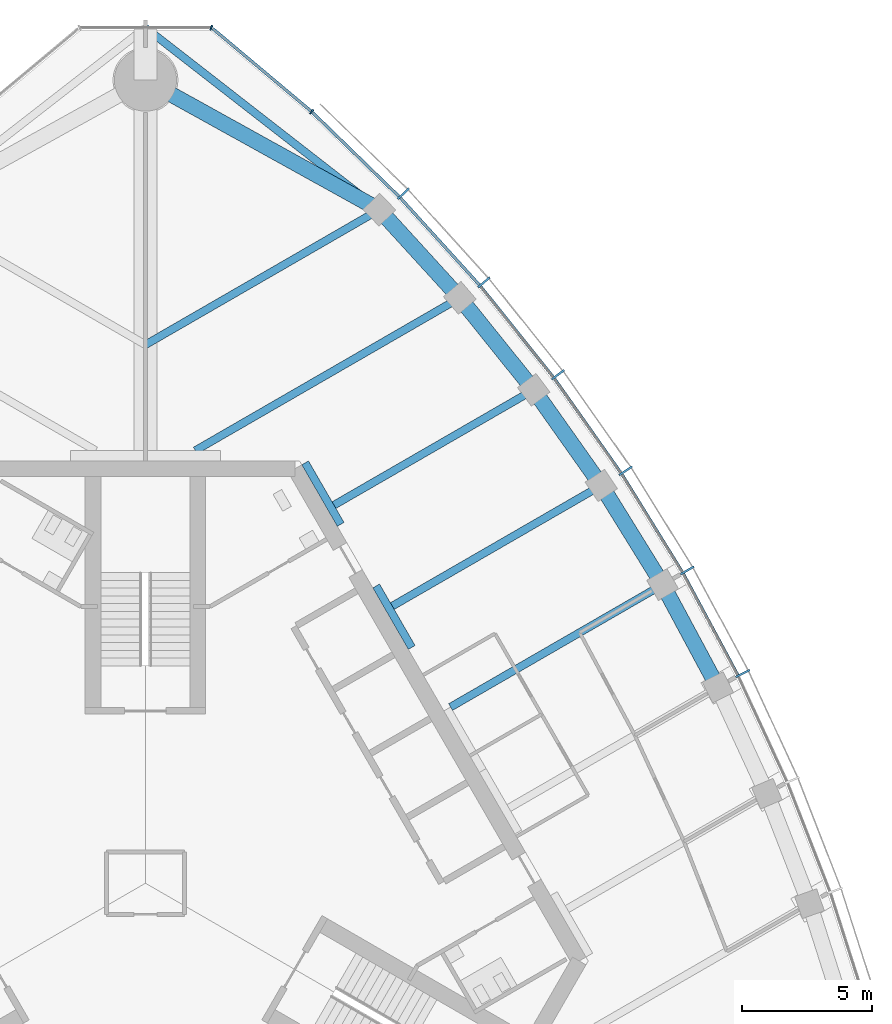
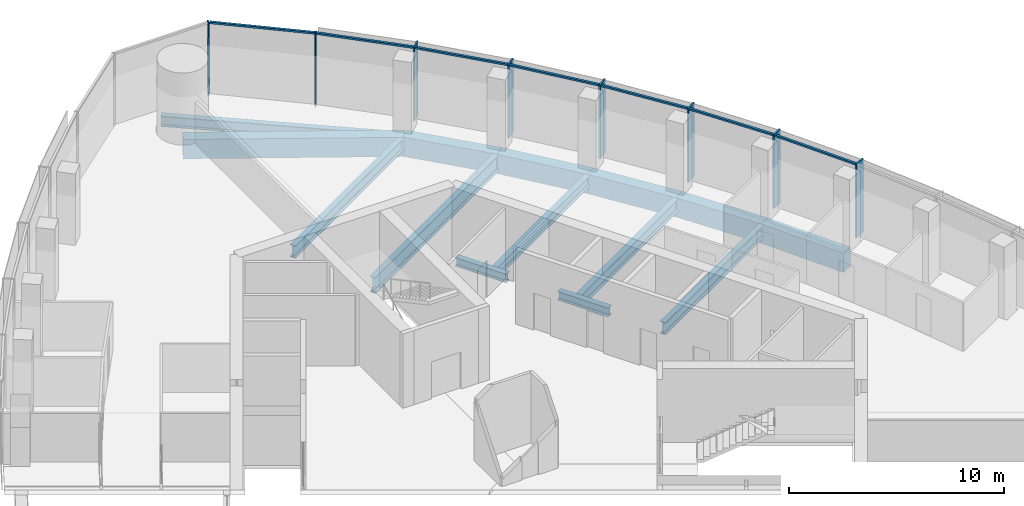
# One storey, part 6 of 16: 15 members, 14 beams, 2 elements without a shape of their own.
"""IFC4 building model written with IfcOpenShell, lengths in metres."""

from ifc_helpers import new_model, si_unit, direction, frame, origin, origin_2d, place, context, subcontext, project, spatial, rectangle, i_section, extrude, material, material_profile, profile_set, type_object, element, aggregate, save


model = new_model("IFC4")

# Units and contexts
model_context = context("Model", 3, precision=1e-05, world=origin(), true_north=direction((0.0, 1.0)))
body_context = subcontext(model_context, "Body", "Model", "MODEL_VIEW")
ifc_project = project(units=[si_unit("LENGTHUNIT", "METRE"), si_unit("AREAUNIT", "SQUARE_METRE"), si_unit("VOLUMEUNIT", "CUBIC_METRE"), si_unit("PLANEANGLEUNIT", "RADIAN"), si_unit("MASSUNIT", "GRAM", prefix="KILO")], contexts=[model_context])

# Site, building, storey
site_placement = place(None, origin())
site = spatial("IfcSite", under=ifc_project, at=site_placement, CompositionType="ELEMENT")
building_placement = place(site_placement, origin())
building = spatial("IfcBuilding", under=site, at=building_placement, Name="Trefoil Bronze Tower", CompositionType="ELEMENT")
storey_placement = place(building_placement, frame((0.0, 0.0, 305.699951171875)))
storey = spatial("IfcBuildingStorey", under=building, at=storey_placement, Name="L70", CompositionType="ELEMENT", Elevation=305.699951171875)

# Curtain wall, members
ifc_material_1 = material(Name="Tinted solar-control glass", Category="glass")
curtain_wall_type_1 = type_object("IfcCurtainWallType", Name="Bronze office curtain wall", PredefinedType="USERDEFINED", material=ifc_material_1)
curtain_wall_1_placement = place(storey_placement, origin())
curtain_wall_1 = element("IfcCurtainWall", 1, at=curtain_wall_1_placement, inside=storey, type_object=curtain_wall_type_1, Name="CW-A L70 F2", ObjectType="CURTAIN WALL", PredefinedType="USERDEFINED")
ifc_material_2 = material(Name="Bronze-finish aluminium", Category="aluminium")
ifc_material_profile_1 = material_profile(ifc_material_2, rectangle(XDim=0.60009765625, YDim=0.080078125, at=origin_2d()), Name="CW-A mullion")
ifc_profile_set_1 = profile_set([ifc_material_profile_1], Name="Bronze-finish aluminium")
member_type_1 = type_object("IfcMemberType", Name="Bronze office curtain wall mullion", PredefinedType="MULLION", material=ifc_profile_set_1)
member_1_placement = place(storey_placement, frame((23.056396484375, 8.094482421875, 0.0), z_axis=(0.0, 0.0, 1.0), x_axis=(-0.894713198289, -0.44664112306, 0.0)))
member_1 = element("IfcMember", 2, at=member_1_placement, type_object=member_type_1, Name="CW-A L70 F2 mullion 5", PredefinedType="MULLION", context=body_context, shape_type="SweptSolid", body=[
    extrude(rectangle(XDim=0.60009765625, YDim=0.080078125, at=origin_2d()), origin(), (0.0, 0.0, 1.0), 4.179931640625),
])
member_2_placement = place(storey_placement, frame((20.916015625, 12.07568359375, 0.0), z_axis=(0.0, 0.0, 1.0), x_axis=(-0.866025403784, -0.5, 0.0)))
member_2 = element("IfcMember", 3, at=member_2_placement, type_object=member_type_1, Name="CW-A L70 F2 mullion 6", PredefinedType="MULLION", context=body_context, shape_type="SweptSolid", body=[
    extrude(rectangle(XDim=0.60009765625, YDim=0.080078125, at=origin_2d()), origin(), (0.0, 0.0, 1.0), 4.179931640625),
])
member_3_placement = place(storey_placement, frame((18.538330078125, 15.920166015625, 0.0), z_axis=(0.0, 0.0, 1.0), x_axis=(-0.834159158089, -0.551523797289, 0.0)))
member_3 = element("IfcMember", 4, at=member_3_placement, type_object=member_type_1, Name="CW-A L70 F2 mullion 7", PredefinedType="MULLION", context=body_context, shape_type="SweptSolid", body=[
    extrude(rectangle(XDim=0.60009765625, YDim=0.080078125, at=origin_2d()), origin(), (0.0, 0.0, 1.0), 4.179931640625),
])
member_4_placement = place(storey_placement, frame((15.922607421875, 19.627197265625, 0.0), z_axis=(0.0, 0.0, 1.0), x_axis=(-0.799096076136, -0.601203344222, 0.0)))
member_4 = element("IfcMember", 5, at=member_4_placement, type_object=member_type_1, Name="CW-A L70 F2 mullion 8", PredefinedType="MULLION", context=body_context, shape_type="SweptSolid", body=[
    extrude(rectangle(XDim=0.60009765625, YDim=0.080078125, at=origin_2d()), origin(), (0.0, 0.0, 1.0), 4.179931640625),
])
member_5_placement = place(storey_placement, frame((13.064453125, 23.194091796875, 0.0), z_axis=(0.0, 0.0, 1.0), x_axis=(-0.760781190165, -0.649008459646, 0.0)))
member_5 = element("IfcMember", 6, at=member_5_placement, type_object=member_type_1, Name="CW-A L70 F2 mullion 9", PredefinedType="MULLION", context=body_context, shape_type="SweptSolid", body=[
    extrude(rectangle(XDim=0.60009765625, YDim=0.080078125, at=origin_2d()), origin(), (0.0, 0.0, 1.0), 4.179931640625),
])
member_6_placement = place(storey_placement, frame((9.957275390625, 26.617431640625, 0.0), z_axis=(0.0, 0.0, 1.0), x_axis=(-0.719001349715, -0.695008675564, 0.0)))
member_6 = element("IfcMember", 7, at=member_6_placement, type_object=member_type_1, Name="CW-A L70 F2 mullion 10", PredefinedType="MULLION", context=body_context, shape_type="SweptSolid", body=[
    extrude(rectangle(XDim=0.60009765625, YDim=0.080078125, at=origin_2d()), origin(), (0.0, 0.0, 1.0), 4.179931640625),
])
ifc_material_3 = material(Name="Bronze-finish aluminium", Category="aluminium")
ifc_material_profile_2 = material_profile(ifc_material_3, rectangle(XDim=0.1201171875, YDim=0.10009765625, at=origin_2d()), Name="CW-A transom")
ifc_profile_set_2 = profile_set([ifc_material_profile_2], Name="Bronze-finish aluminium")
member_type_2 = type_object("IfcMemberType", Name="Bronze office curtain wall transom", PredefinedType="USERDEFINED", material=ifc_profile_set_2)
member_7_placement = place(storey_placement, frame((22.857177734375, 8.043212890625, 4.130126953125), z_axis=(-0.473540024981, 0.880772300167, 0.0), x_axis=(-0.880772300167, -0.473540024981, 0.0)))
member_7 = element("IfcMember", 8, at=member_7_placement, type_object=member_type_2, Name="CW-A L70 F2 transom 5", ObjectType="TRANSOM", PredefinedType="USERDEFINED", context=body_context, shape_type="SweptSolid", body=[
    extrude(rectangle(XDim=0.1201171875, YDim=0.10009765625, at=origin_2d()), origin(), (0.0, 0.0, 1.0), 4.422119140625),
])
member_8_placement = place(storey_placement, frame((20.72021484375, 12.012451171875, 4.130126953125), z_axis=(-0.525978235299, 0.850498028212, 0.0), x_axis=(-0.850498028212, -0.525978235299, 0.0)))
member_8 = element("IfcMember", 9, at=member_8_placement, type_object=member_type_2, Name="CW-A L70 F2 transom 6", ObjectType="TRANSOM", PredefinedType="USERDEFINED", context=body_context, shape_type="SweptSolid", body=[
    extrude(rectangle(XDim=0.1201171875, YDim=0.10009765625, at=origin_2d()), origin(), (0.0, 0.0, 1.0), 4.422119140625),
])
member_9_placement = place(storey_placement, frame((18.3466796875, 15.84521484375, 4.130126953125), z_axis=(-0.5765665752, 0.817050172488, 0.0), x_axis=(-0.817050172488, -0.5765665752, 0.0)))
member_9 = element("IfcMember", 10, at=member_9_placement, type_object=member_type_2, Name="CW-A L70 F2 transom 7", ObjectType="TRANSOM", PredefinedType="USERDEFINED", context=body_context, shape_type="SweptSolid", body=[
    extrude(rectangle(XDim=0.1201171875, YDim=0.10009765625, at=origin_2d()), origin(), (0.0, 0.0, 1.0), 4.4384765625),
])
member_10_placement = place(storey_placement, frame((15.73583984375, 19.54052734375, 4.130126953125), z_axis=(-0.625300648488, 0.780383943325, 0.0), x_axis=(-0.780383943325, -0.625300648488, 0.0)))
member_10 = element("IfcMember", 11, at=member_10_placement, type_object=member_type_2, Name="CW-A L70 F2 transom 8", ObjectType="TRANSOM", PredefinedType="USERDEFINED", context=body_context, shape_type="SweptSolid", body=[
    extrude(rectangle(XDim=0.1201171875, YDim=0.10009765625, at=origin_2d()), origin(), (0.0, 0.0, 1.0), 4.472412109375),
])
member_11_placement = place(storey_placement, frame((12.88330078125, 23.09619140625, 4.130126953125), z_axis=(-0.672068269674, 0.740489190264, 0.0), x_axis=(-0.740489190264, -0.672068269674, 0.0)))
member_11 = element("IfcMember", 12, at=member_11_placement, type_object=member_type_2, Name="CW-A L70 F2 transom 9", ObjectType="TRANSOM", PredefinedType="USERDEFINED", context=body_context, shape_type="SweptSolid", body=[
    extrude(rectangle(XDim=0.1201171875, YDim=0.10009765625, at=origin_2d()), origin(), (0.0, 0.0, 1.0), 4.5244140625),
])
member_12_placement = place(storey_placement, frame((9.782470703125, 26.508544921875, 4.130126953125), z_axis=(-0.717224617883, 0.696842053484, 0.0), x_axis=(-0.696842053484, -0.717224617883, 0.0)))
member_12 = element("IfcMember", 13, at=member_12_placement, type_object=member_type_2, Name="CW-A L70 F2 transom 10", ObjectType="TRANSOM", PredefinedType="USERDEFINED", context=body_context, shape_type="SweptSolid", body=[
    extrude(rectangle(XDim=0.1201171875, YDim=0.10009765625, at=origin_2d()), origin(), (0.0, 0.0, 1.0), 4.6474609375),
])
aggregate(curtain_wall_1, [member_1, member_2, member_3, member_4, member_5, member_6, member_7, member_8, member_9, member_10, member_11, member_12])

ifc_material_4 = material(Name="Tinted solar-control glass", Category="glass")
curtain_wall_type_2 = type_object("IfcCurtainWallType", Name="Bronze rounded corner curtain wall", PredefinedType="USERDEFINED", material=ifc_material_4)
curtain_wall_2_placement = place(storey_placement, origin())
curtain_wall_2 = element("IfcCurtainWall", 14, at=curtain_wall_2_placement, inside=storey, type_object=curtain_wall_type_2, Name="CW-B L70 K2", ObjectType="CURTAIN WALL", PredefinedType="USERDEFINED")
ifc_material_5 = material(Name="Bronze-finish aluminium", Category="aluminium")
ifc_material_profile_3 = material_profile(ifc_material_5, rectangle(XDim=0.199951171875, YDim=0.06005859375, at=origin_2d()), Name="CW-B mullion")
ifc_profile_set_3 = profile_set([ifc_material_profile_3], Name="Bronze-finish aluminium")
member_type_3 = type_object("IfcMemberType", Name="Bronze rounded corner curtain wall mullion", PredefinedType="MULLION", material=ifc_profile_set_3)
member_13_placement = place(storey_placement, frame((6.4150390625, 29.77978515625, 0.0), z_axis=(0.0, 0.0, 1.0), x_axis=(-0.642787609687, -0.766044443119, 0.0)))
member_13 = element("IfcMember", 15, at=member_13_placement, type_object=member_type_3, Name="CW-B L70 K2 mullion 1", PredefinedType="MULLION", context=body_context, shape_type="SweptSolid", body=[
    extrude(rectangle(XDim=0.199951171875, YDim=0.06005859375, at=origin_2d()), origin(), (0.0, 0.0, 1.0), 4.179931640625),
])
member_14_placement = place(storey_placement, frame((2.542236328125, 33.021484375, 0.0), z_axis=(0.0, 0.0, 1.0), x_axis=(-0.342020143326, -0.939692620786, 0.0)))
member_14 = element("IfcMember", 16, at=member_14_placement, type_object=member_type_3, Name="CW-B L70 K2 mullion 2", PredefinedType="MULLION", context=body_context, shape_type="SweptSolid", body=[
    extrude(rectangle(XDim=0.199951171875, YDim=0.06005859375, at=origin_2d()), origin(), (0.0, 0.0, 1.0), 4.179931640625),
])
ifc_material_6 = material(Name="Bronze-finish aluminium", Category="aluminium")
ifc_material_profile_4 = material_profile(ifc_material_6, rectangle(XDim=0.1201171875, YDim=0.10009765625, at=origin_2d()), Name="CW-B transom")
ifc_profile_set_4 = profile_set([ifc_material_profile_4], Name="Bronze-finish aluminium")
member_type_4 = type_object("IfcMemberType", Name="Bronze rounded corner curtain wall transom", PredefinedType="USERDEFINED", material=ifc_profile_set_4)
member_15_placement = place(storey_placement, frame((6.39208984375, 29.799072265625, 4.130126953125), z_axis=(-0.766040522511, 0.642792282056, 0.0), x_axis=(-0.642792282056, -0.766040522511, 0.0)))
member_15 = element("IfcMember", 17, at=member_15_placement, type_object=member_type_4, Name="CW-B L70 K2 transom 1", ObjectType="TRANSOM", PredefinedType="USERDEFINED", context=body_context, shape_type="SweptSolid", body=[
    extrude(rectangle(XDim=0.1201171875, YDim=0.10009765625, at=origin_2d()), origin(), (0.0, 0.0, 1.0), 4.9560546875),
])
aggregate(curtain_wall_2, [member_13, member_14, member_15])

# Beams
ifc_material_7 = material(Name="Steel C355", Category="steel")
ifc_material_profile_5 = material_profile(ifc_material_7, i_section(OverallWidth=0.300048828125, OverallDepth=0.5, WebThickness=0.014404296875, FlangeThickness=0.028076171875, FilletRadius=0.027099609375, at=origin_2d()), Name="HEB 500")
ifc_profile_set_5 = profile_set([ifc_material_profile_5], Name="Steel C355")
beam_type_1 = type_object("IfcBeamType", Name="Core seat beam HEB 500", PredefinedType="BEAM", material=ifc_profile_set_5)
for number, where, z_axis, x_axis, name in (
    (18, (10.27685546875, 9.10009765625, -0.449951171875), (-0.500035825175, 0.866004719122, 0.0), (-0.866004719122, -0.500035825175, 0.0), "Core seat beam F2/+1 L70"),
    (19, (7.534423828125, 13.85009765625, -0.449951171875), (-0.499969057507, 0.866043267704, 0.0), (-0.866043267704, -0.499969057507, 0.0), "Core seat beam F2/+2 L70"),
):
    element("IfcBeam", number, at=place(storey_placement, frame(where, z_axis=z_axis, x_axis=x_axis)), inside=storey, type_object=beam_type_1, Name=name, PredefinedType="BEAM", context=body_context, shape_type="SweptSolid", body=[
        extrude(i_section(OverallWidth=0.300048828125, OverallDepth=0.5, WebThickness=0.014404296875, FlangeThickness=0.028076171875, FilletRadius=0.027099609375, at=origin_2d()), origin(), (0.0, 0.0, 1.0), 2.742431640625),
    ])
ifc_material_8 = material(Name="Steel C355", Category="steel")
ifc_material_profile_6 = material_profile(ifc_material_8, i_section(OverallWidth=0.300048828125, OverallDepth=0.60009765625, WebThickness=0.015380859375, FlangeThickness=0.030029296875, FilletRadius=0.027099609375, at=origin_2d()), Name="HEB 600")
ifc_profile_set_6 = profile_set([ifc_material_profile_6], Name="Steel C355")
beam_type_2 = type_object("IfcBeamType", Name="Corner edge beam HEB 600", PredefinedType="BEAM", material=ifc_profile_set_6)
beam_1_placement = place(storey_placement, frame((9.02734375, 25.99658203125, -0.5), z_axis=(-0.789270604977, 0.614045529354, 0.0), x_axis=(-0.614045529354, -0.789270604977, 0.0)))
element("IfcBeam", 20, at=beam_1_placement, inside=storey, type_object=beam_type_2, Name="Corner edge beam F2A L70", PredefinedType="BEAM", context=body_context, shape_type="SweptSolid", body=[
    extrude(i_section(OverallWidth=0.300048828125, OverallDepth=0.60009765625, WebThickness=0.015380859375, FlangeThickness=0.030029296875, FilletRadius=0.027099609375, at=origin_2d()), origin(), (0.0, 0.0, 1.0), 11.4375),
])
ifc_material_9 = material(Name="Concrete B80", Category="concrete")
ifc_material_profile_7 = material_profile(ifc_material_9, rectangle(XDim=0.60009765625, YDim=1.10009765625, at=origin_2d()), Name="RC 600x1100")
ifc_profile_set_7 = profile_set([ifc_material_profile_7], Name="Concrete B80")
beam_type_3 = type_object("IfcBeamType", Name="End spandrel beam RC 600x1100", PredefinedType="SPANDREL", material=ifc_profile_set_7)
beam_2_placement = place(storey_placement, frame((9.02734375, 25.99658203125, -0.75), z_axis=(-0.874641085074, 0.484771051426, 0.0), x_axis=(-0.484771051426, -0.874641085074, 0.0)))
element("IfcBeam", 21, at=beam_2_placement, inside=storey, type_object=beam_type_3, Name="Spandrel F2.10 L70", PredefinedType="SPANDREL", context=body_context, shape_type="SweptSolid", body=[
    extrude(rectangle(XDim=0.60009765625, YDim=1.10009765625, at=origin_2d()), origin(), (0.0, 0.0, 1.0), 10.3212890625),
])
ifc_material_10 = material(Name="Steel C355", Category="steel")
ifc_material_profile_8 = material_profile(ifc_material_10, i_section(OverallWidth=0.300048828125, OverallDepth=0.60009765625, WebThickness=0.015380859375, FlangeThickness=0.030029296875, FilletRadius=0.027099609375, at=origin_2d()), Name="HEB 600")
ifc_profile_set_8 = profile_set([ifc_material_profile_8], Name="Steel C355")
beam_type_4 = type_object("IfcBeamType", Name="Floor beam HEB 600", PredefinedType="BEAM", material=ifc_profile_set_8)
beam_3_placement = place(storey_placement, frame((14.98486328125, 19.043701171875, -0.5), z_axis=(-0.866034827411, -0.499983677445, 0.0), x_axis=(0.499983677445, -0.866034827411, 0.0)))
element("IfcBeam", 22, at=beam_3_placement, inside=storey, type_object=beam_type_4, Name="Floor beam F2/+2 L70", PredefinedType="BEAM", context=body_context, shape_type="SweptSolid", body=[
    extrude(i_section(OverallWidth=0.300048828125, OverallDepth=0.60009765625, WebThickness=0.015380859375, FlangeThickness=0.030029296875, FilletRadius=0.027099609375, at=origin_2d()), origin(), (0.0, 0.0, 1.0), 8.899169921875),
])
ifc_material_11 = material(Name="Steel C355", Category="steel")
ifc_material_profile_9 = material_profile(ifc_material_11, i_section(OverallWidth=0.300048828125, OverallDepth=0.699951171875, WebThickness=0.01708984375, FlangeThickness=0.031982421875, FilletRadius=0.027099609375, at=origin_2d()), Name="HEB 700")
ifc_profile_set_9 = profile_set([ifc_material_profile_9], Name="Steel C355")
beam_type_5 = type_object("IfcBeamType", Name="Floor beam HEB 700", PredefinedType="BEAM", material=ifc_profile_set_9)
beam_4_placement = place(storey_placement, frame((19.96337890625, 11.52587890625, -0.550048828125), z_axis=(-0.866029875693, -0.499992254348, 0.0), x_axis=(0.499992254348, -0.866029875693, 0.0)))
element("IfcBeam", 23, at=beam_4_placement, inside=storey, type_object=beam_type_5, Name="Floor beam F2/+0 L70", PredefinedType="BEAM", context=body_context, shape_type="SweptSolid", body=[
    extrude(i_section(OverallWidth=0.300048828125, OverallDepth=0.699951171875, WebThickness=0.01708984375, FlangeThickness=0.031982421875, FilletRadius=0.027099609375, at=origin_2d()), origin(), (0.0, 0.0, 1.0), 9.451904296875),
])
beam_5_placement = place(storey_placement, frame((17.593994140625, 15.35400390625, -0.550048828125), z_axis=(-0.866026261222, -0.499998514871, 0.0), x_axis=(0.499998514871, -0.866026261222, 0.0)))
element("IfcBeam", 24, at=beam_5_placement, inside=storey, type_object=beam_type_5, Name="Floor beam F2/+1 L70", PredefinedType="BEAM", context=body_context, shape_type="SweptSolid", body=[
    extrude(i_section(OverallWidth=0.300048828125, OverallDepth=0.699951171875, WebThickness=0.01708984375, FlangeThickness=0.031982421875, FilletRadius=0.027099609375, at=origin_2d()), origin(), (0.0, 0.0, 1.0), 9.31396484375),
])
beam_6_placement = place(storey_placement, frame((9.02734375, 25.99658203125, -0.550048828125), z_axis=(-0.866026453994, -0.499998180979, 0.0), x_axis=(0.499998180979, -0.866026453994, 0.0)))
element("IfcBeam", 25, at=beam_6_placement, inside=storey, type_object=beam_type_5, Name="Floor beam F2/+4 L70", PredefinedType="BEAM", context=body_context, shape_type="SweptSolid", body=[
    extrude(i_section(OverallWidth=0.300048828125, OverallDepth=0.699951171875, WebThickness=0.01708984375, FlangeThickness=0.031982421875, FilletRadius=0.027099609375, at=origin_2d()), origin(), (0.0, 0.0, 1.0), 10.423828125),
])
ifc_material_12 = material(Name="Steel C355", Category="steel")
ifc_material_profile_10 = material_profile(ifc_material_12, i_section(OverallWidth=0.300048828125, OverallDepth=0.89990234375, WebThickness=0.0185546875, FlangeThickness=0.034912109375, FilletRadius=0.030029296875, at=origin_2d()), Name="HEB 900")
ifc_profile_set_10 = profile_set([ifc_material_profile_10], Name="Steel C355")
beam_type_6 = type_object("IfcBeamType", Name="Floor beam HEB 900", PredefinedType="BEAM", material=ifc_profile_set_10)
beam_7_placement = place(storey_placement, frame((12.131591796875, 22.5927734375, -0.64990234375), z_axis=(-0.866017581749, -0.500013547917, 0.0), x_axis=(0.500013547917, -0.866017581749, 0.0)))
element("IfcBeam", 26, at=beam_7_placement, inside=storey, type_object=beam_type_6, Name="Floor beam F2/+3 L70", PredefinedType="BEAM", context=body_context, shape_type="SweptSolid", body=[
    extrude(i_section(OverallWidth=0.300048828125, OverallDepth=0.89990234375, WebThickness=0.0185546875, FlangeThickness=0.034912109375, FilletRadius=0.030029296875, at=origin_2d()), origin(), (0.0, 0.0, 1.0), 11.785400390625),
])
ifc_material_13 = material(Name="Concrete B80", Category="concrete")
ifc_material_profile_11 = material_profile(ifc_material_13, rectangle(XDim=0.60009765625, YDim=1.10009765625, at=origin_2d()), Name="RC 600x1100")
ifc_profile_set_11 = profile_set([ifc_material_profile_11], Name="Concrete B80")
beam_type_7 = type_object("IfcBeamType", Name="Spandrel beam RC 600x1100", PredefinedType="SPANDREL", material=ifc_profile_set_11)
beam_8_placement = place(storey_placement, frame((22.093994140625, 7.559814453125, -0.75), z_axis=(-0.473245885676, 0.880930378458, 0.0), x_axis=(-0.880930378458, -0.473245885676, 0.0)))
element("IfcBeam", 27, at=beam_8_placement, inside=storey, type_object=beam_type_7, Name="Spandrel F2.5 L70", PredefinedType="SPANDREL", context=body_context, shape_type="SweptSolid", body=[
    extrude(rectangle(XDim=0.60009765625, YDim=1.10009765625, at=origin_2d()), origin(), (0.0, 0.0, 1.0), 4.502197265625),
])
beam_9_placement = place(storey_placement, frame((19.96337890625, 11.52587890625, -0.75), z_axis=(-0.526289271956, 0.850305593433, 0.0), x_axis=(-0.850305593433, -0.526289271956, 0.0)))
element("IfcBeam", 28, at=beam_9_placement, inside=storey, type_object=beam_type_7, Name="Spandrel F2.6 L70", PredefinedType="SPANDREL", context=body_context, shape_type="SweptSolid", body=[
    extrude(rectangle(XDim=0.60009765625, YDim=1.10009765625, at=origin_2d()), origin(), (0.0, 0.0, 1.0), 4.501953125),
])
beam_10_placement = place(storey_placement, frame((17.593994140625, 15.35400390625, -0.75), z_axis=(-0.577368105169, 0.816483968693, 0.0), x_axis=(-0.816483968693, -0.577368105169, 0.0)))
element("IfcBeam", 29, at=beam_10_placement, inside=storey, type_object=beam_type_7, Name="Spandrel F2.7 L70", PredefinedType="SPANDREL", context=body_context, shape_type="SweptSolid", body=[
    extrude(rectangle(XDim=0.60009765625, YDim=1.10009765625, at=origin_2d()), origin(), (0.0, 0.0, 1.0), 4.51904296875),
])
beam_11_placement = place(storey_placement, frame((14.98486328125, 19.043701171875, -0.75), z_axis=(-0.626569682592, 0.779365403939, 0.0), x_axis=(-0.779365403939, -0.626569682592, 0.0)))
element("IfcBeam", 30, at=beam_11_placement, inside=storey, type_object=beam_type_7, Name="Spandrel F2.8 L70", PredefinedType="SPANDREL", context=body_context, shape_type="SweptSolid", body=[
    extrude(rectangle(XDim=0.60009765625, YDim=1.10009765625, at=origin_2d()), origin(), (0.0, 0.0, 1.0), 4.5537109375),
])
beam_12_placement = place(storey_placement, frame((12.131591796875, 22.5927734375, -0.75), z_axis=(-0.673845775847, 0.738872025707, 0.0), x_axis=(-0.738872025707, -0.673845775847, 0.0)))
element("IfcBeam", 31, at=beam_12_placement, inside=storey, type_object=beam_type_7, Name="Spandrel F2.9 L70", PredefinedType="SPANDREL", context=body_context, shape_type="SweptSolid", body=[
    extrude(rectangle(XDim=0.60009765625, YDim=1.10009765625, at=origin_2d()), origin(), (0.0, 0.0, 1.0), 4.606689453125),
])

save(model, "model.ifc")
